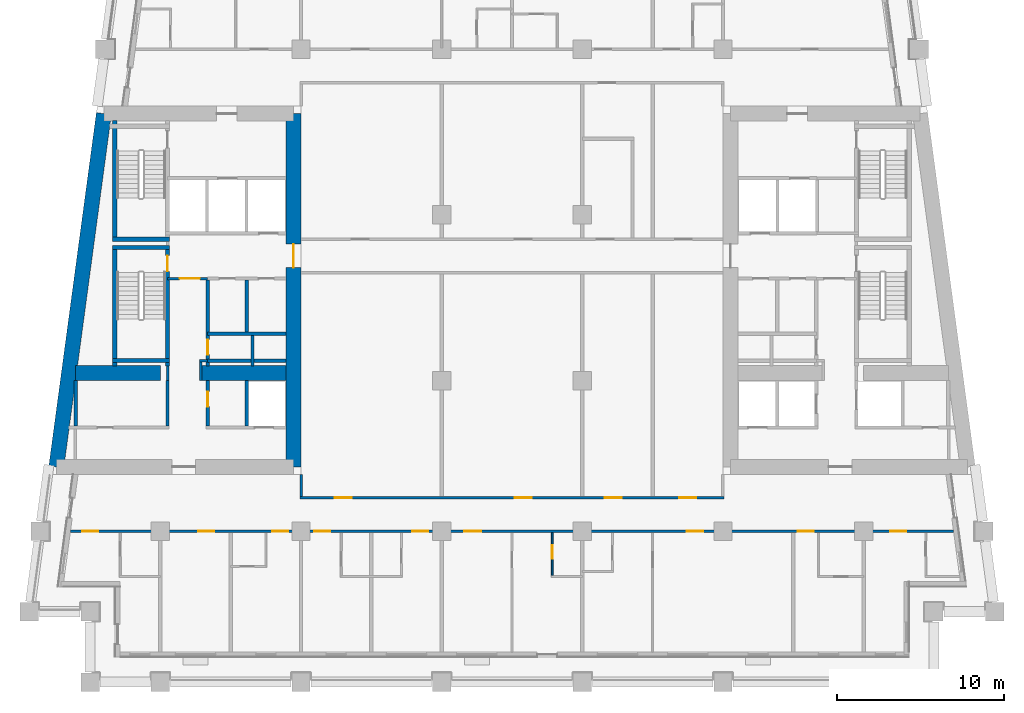
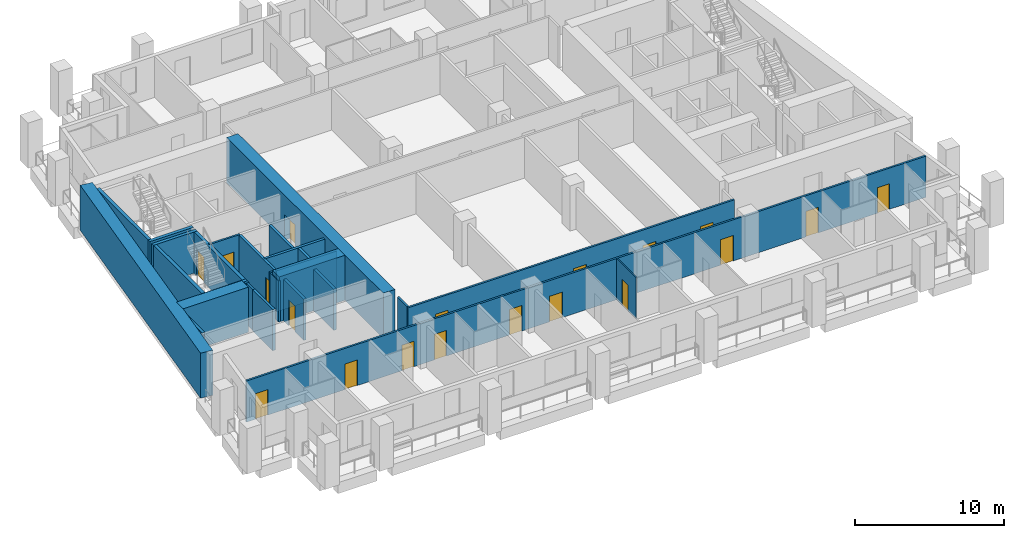
# One storey, part 3 of 12: 27 walls, 19 doors, 19 openings.
"""IFC4 building model written with IfcOpenShell, lengths in metres."""

from ifc_helpers import new_model, si_unit, direction, frame, frame_2d, origin, place, context, subcontext, project, spatial, rectangle, extrude, material, layer, layer_set, type_object, element, fill, save


model = new_model("IFC4")

# Units and contexts
model_context = context("Model", 3, precision=1e-05, world=origin(), true_north=direction((0.0, 1.0)))
body_context = subcontext(model_context, "Body", "Model", "MODEL_VIEW")
ifc_project = project(units=[si_unit("LENGTHUNIT", "METRE"), si_unit("AREAUNIT", "SQUARE_METRE"), si_unit("VOLUMEUNIT", "CUBIC_METRE"), si_unit("PLANEANGLEUNIT", "RADIAN"), si_unit("MASSUNIT", "GRAM", prefix="KILO")], contexts=[model_context])

# Site, building, storey
site_placement = place(None, origin())
site = spatial("IfcSite", under=ifc_project, at=site_placement, CompositionType="ELEMENT")
building_placement = place(site_placement, origin())
building = spatial("IfcBuilding", under=site, at=building_placement, Name="Candeia Pilgrim Tower and Theatre", CompositionType="ELEMENT")
storey_placement = place(building_placement, frame((0.0, 0.0, 147.800048828125)))
storey = spatial("IfcBuildingStorey", under=building, at=storey_placement, Name="L34", CompositionType="ELEMENT", Elevation=147.800048828125)

# Wall, opening, door
ifc_material_1 = material(Name="Concrete C60/75", Category="concrete")
ifc_layer_1 = layer(ifc_material_1, 0.89990234375)
ifc_layer_set_1 = layer_set([ifc_layer_1], Name="Core wall 900 C60/75")
wall_type_1 = type_object("IfcWallType", Name="Core wall 900 C60/75", PredefinedType="SHEAR", material=ifc_layer_set_1)
wall_1_placement = place(storey_placement, frame((100.35009765625, 131.949951171875, 0.0), z_axis=(0.0, 0.0, 1.0), x_axis=(0.0, -1.0, 0.0)))
wall_1 = element("IfcWall", 1, at=wall_1_placement, inside=storey, type_object=wall_type_1, Name="Core wall W2", PredefinedType="SHEAR", context=body_context, shape_type="SweptSolid", body=[
    extrude(rectangle(XDim=21.099853515625, YDim=0.89990234375, at=frame_2d((10.5498046875, 0.0))), origin(), (0.0, 0.0, 1.0), 3.699951171875),
])
opening_1_placement = place(wall_1_placement, frame((7.800048828125, 0.0, 0.0)))
opening_1 = element("IfcOpeningElement", 2, at=opening_1_placement, cuts=wall_1, Name="Opening L34-D057", PredefinedType="OPENING", context=body_context, shape_type="SweptSolid", body=[
    extrude(rectangle(XDim=1.39990234375, YDim=2.10009765625, at=frame_2d((0.699951171875, 1.050048828125))), frame((0.0, 0.4599609375, 0.0), z_axis=(0.0, -1.0, 0.0), x_axis=(1.0, 0.0, 0.0)), (0.0, 0.0, 1.0), 0.919921875),
])
ifc_material_2 = material(Name="Steel fire door set", Category="steel")
door_type_1 = type_object("IfcDoorType", Name="D-1400-FD60", OperationType="NOTDEFINED", PredefinedType="DOOR", material=ifc_material_2)
door_1_placement = place(opening_1_placement, origin())
door_1 = element("IfcDoor", 3, at=door_1_placement, inside=storey, type_object=door_type_1, Name="Door L34-D057", OperationType="SINGLE_SWING_LEFT", OverallHeight=2.10009765625, OverallWidth=1.39990234375, PredefinedType="DOOR", context=body_context, shape_type="SweptSolid", body=[
    extrude(rectangle(XDim=1.39990234375, YDim=2.10009765625, at=frame_2d((0.699951171875, 1.050048828125))), frame((0.0, 0.02490234375, 0.0), z_axis=(0.0, -1.0, 0.0), x_axis=(1.0, 0.0, 0.0)), (0.0, 0.0, 1.0), 0.050048828125),
])
fill(opening_1, door_1)

# Walls
wall_2_placement = place(storey_placement, frame((86.183837890625, 110.85009765625, 0.0), z_axis=(0.0, 0.0, 1.0), x_axis=(0.133410495943, 0.991060865725, 0.0)))
element("IfcWall", 4, at=wall_2_placement, inside=storey, type_object=wall_type_1, Name="Core wall W4", PredefinedType="SHEAR", context=body_context, shape_type="SweptSolid", body=[
    extrude(rectangle(XDim=21.290283203125, YDim=0.89990234375, at=frame_2d((10.64501953125, 0.0))), origin(), (0.0, 0.0, 1.0), 3.699951171875),
])
wall_3_placement = place(storey_placement, frame((87.322998046875, 116.449951171875, 0.0), z_axis=(0.0, 0.0, 1.0), x_axis=(1.0, 0.0, 0.0)))
element("IfcWall", 5, at=wall_3_placement, inside=storey, type_object=wall_type_1, Name="Core wall W5", PredefinedType="SHEAR", context=body_context, shape_type="SweptSolid", body=[
    extrude(rectangle(XDim=5.076904296875, YDim=0.89990234375, at=frame_2d((2.53857421875, 0.0))), origin(), (0.0, 0.0, 1.0), 3.699951171875),
])
wall_4_placement = place(storey_placement, frame((94.800048828125, 116.449951171875, 0.0), z_axis=(0.0, 0.0, 1.0), x_axis=(1.0, 0.0, 0.0)))
element("IfcWall", 6, at=wall_4_placement, inside=storey, type_object=wall_type_1, Name="Core wall W6", PredefinedType="SHEAR", context=body_context, shape_type="SweptSolid", body=[
    extrude(rectangle(XDim=5.099853515625, YDim=0.89990234375, at=frame_2d((2.5498046875, 0.0))), origin(), (0.0, 0.0, 1.0), 3.699951171875),
])

# Wall, opening, door
ifc_material_3 = material(Name="Gypsum board partition on steel studs", Category="steel")
ifc_layer_2 = layer(ifc_material_3, 0.10009765625)
ifc_layer_set_2 = layer_set([ifc_layer_2], Name="PW-100 room partition")
wall_type_2 = type_object("IfcWallType", Name="PW-100 room partition", PredefinedType="PARTITIONING", material=ifc_layer_set_2)
wall_5_placement = place(storey_placement, frame((115.800048828125, 104.35009765625, 0.0), z_axis=(0.0, 0.0, 1.0), x_axis=(0.0, 1.0, 0.0)))
wall_5 = element("IfcWall", 7, at=wall_5_placement, inside=storey, type_object=wall_type_2, Name="Room partition L34-084", PredefinedType="PARTITIONING", context=body_context, shape_type="SweptSolid", body=[
    extrude(rectangle(XDim=2.574951171875, YDim=0.10009765625, at=frame_2d((1.28759765625, 0.0))), origin(), (0.0, 0.0, 1.0), 3.3798828125),
])
opening_2_placement = place(wall_5_placement, frame((1.02001953125, 0.0, 0.0)))
opening_2 = element("IfcOpeningElement", 8, at=opening_2_placement, cuts=wall_5, Name="Opening L34-D027", PredefinedType="OPENING", context=body_context, shape_type="SweptSolid", body=[
    extrude(rectangle(XDim=0.800048828125, YDim=2.10009765625, at=frame_2d((0.39990234375, 1.050048828125))), frame((0.0, 0.06005859375, 0.0), z_axis=(0.0, -1.0, 0.0), x_axis=(1.0, 0.0, 0.0)), (0.0, 0.0, 1.0), 0.1201171875),
])
ifc_material_4 = material(Name="Timber door leaf", Category="wood")
door_type_2 = type_object("IfcDoorType", Name="D-800", OperationType="NOTDEFINED", PredefinedType="DOOR", material=ifc_material_4)
door_2_placement = place(opening_2_placement, origin())
door_2 = element("IfcDoor", 9, at=door_2_placement, inside=storey, type_object=door_type_2, Name="Door L34-D027", OperationType="SINGLE_SWING_LEFT", OverallHeight=2.10009765625, OverallWidth=0.800048828125, PredefinedType="DOOR", context=body_context, shape_type="SweptSolid", body=[
    extrude(rectangle(XDim=0.800048828125, YDim=2.10009765625, at=frame_2d((0.39990234375, 1.050048828125))), frame((0.0, 0.02490234375, 0.0), z_axis=(0.0, -1.0, 0.0), x_axis=(1.0, 0.0, 0.0)), (0.0, 0.0, 1.0), 0.050048828125),
])
fill(opening_2, door_2)

# Wall
ifc_layer_3 = layer(ifc_material_3, 0.14990234375)
ifc_layer_set_3 = layer_set([ifc_layer_3], Name="PW-150 lobby wall")
wall_type_3 = type_object("IfcWallType", Name="PW-150 lobby wall", PredefinedType="PARTITIONING", material=ifc_layer_set_3)
wall_6_placement = place(storey_placement, frame((94.72509765625, 117.199951171875, 0.0), z_axis=(0.0, 0.0, 1.0), x_axis=(1.0, 0.0, 0.0)))
element("IfcWall", 10, at=wall_6_placement, inside=storey, type_object=wall_type_3, Name="Lobby wall L34-016", PredefinedType="PARTITIONING", context=body_context, shape_type="SweptSolid", body=[
    extrude(rectangle(XDim=0.501953125, YDim=0.14990234375, at=frame_2d((0.2509765625, 0.0))), origin(), (0.0, 0.0, 1.0), 3.3798828125),
])

# Wall, opening, door
wall_7_placement = place(storey_placement, frame((92.826904296875, 122.10009765625, 0.0), z_axis=(0.0, 0.0, 1.0), x_axis=(1.0, 0.0, 0.0)))
wall_7 = element("IfcWall", 11, at=wall_7_placement, inside=storey, type_object=wall_type_3, Name="Lobby wall L34-024", PredefinedType="PARTITIONING", context=body_context, shape_type="SweptSolid", body=[
    extrude(rectangle(XDim=2.400146484375, YDim=0.14990234375, at=frame_2d((1.2001953125, 0.0))), origin(), (0.0, 0.0, 1.0), 3.3798828125),
])
opening_3_placement = place(wall_7_placement, frame((0.72509765625, 0.0, 0.0)))
opening_3 = element("IfcOpeningElement", 12, at=opening_3_placement, cuts=wall_7, Name="Opening L34-D001", PredefinedType="OPENING", context=body_context, shape_type="SweptSolid", body=[
    extrude(rectangle(XDim=1.199951171875, YDim=2.10009765625, at=frame_2d((0.60009765625, 1.050048828125))), frame((0.0, 0.0849609375, 0.0), z_axis=(0.0, -1.0, 0.0), x_axis=(1.0, 0.0, 0.0)), (0.0, 0.0, 1.0), 0.169921875),
])
door_type_3 = type_object("IfcDoorType", Name="D-1200-FD60", OperationType="NOTDEFINED", PredefinedType="DOOR", material=ifc_material_2)
door_3_placement = place(opening_3_placement, origin())
door_3 = element("IfcDoor", 13, at=door_3_placement, inside=storey, type_object=door_type_3, Name="Door L34-D001", OperationType="SINGLE_SWING_LEFT", OverallHeight=2.10009765625, OverallWidth=1.199951171875, PredefinedType="DOOR", context=body_context, shape_type="SweptSolid", body=[
    extrude(rectangle(XDim=1.199951171875, YDim=2.10009765625, at=frame_2d((0.60009765625, 1.050048828125))), frame((0.0, 0.02490234375, 0.0), z_axis=(0.0, -1.0, 0.0), x_axis=(1.0, 0.0, 0.0)), (0.0, 0.0, 1.0), 0.050048828125),
])
fill(opening_3, door_3)

# Walls
wall_8_placement = place(storey_placement, frame((92.826904296875, 116.0, 0.0), z_axis=(0.0, 0.0, 1.0), x_axis=(0.0, 1.0, 0.0)))
element("IfcWall", 14, at=wall_8_placement, inside=storey, type_object=wall_type_3, Name="Lobby wall L34-054", PredefinedType="PARTITIONING", context=body_context, shape_type="SweptSolid", body=[
    extrude(rectangle(XDim=0.8701171875, YDim=0.14990234375, at=frame_2d((0.43505859375, 0.0))), origin(), (0.0, 0.0, 1.0), 3.3798828125),
])
wall_9_placement = place(storey_placement, frame((94.800048828125, 116.0, 0.0), z_axis=(0.0, 0.0, 1.0), x_axis=(0.0, 1.0, 0.0)))
element("IfcWall", 15, at=wall_9_placement, inside=storey, type_object=wall_type_3, Name="Lobby wall L34-059", PredefinedType="PARTITIONING", context=body_context, shape_type="SweptSolid", body=[
    extrude(rectangle(XDim=1.125, YDim=0.14990234375, at=frame_2d((0.5625, 0.0))), origin(), (0.0, 0.0, 1.0), 3.3798828125),
])

# Wall, openings, doors
ifc_layer_4 = layer(ifc_material_3, 0.14990234375)
ifc_layer_set_4 = layer_set([ifc_layer_4], Name="PW-150 unit wall")
wall_type_4 = type_object("IfcWallType", Name="PW-150 unit wall", PredefinedType="PARTITIONING", material=ifc_layer_set_4)
wall_10_placement = place(storey_placement, frame((87.017578125, 107.0, 0.0), z_axis=(0.0, 0.0, 1.0), x_axis=(1.0, 0.0, 0.0)))
wall_10 = element("IfcWall", 16, at=wall_10_placement, inside=storey, type_object=wall_type_4, Name="Unit wall L34-008", PredefinedType="PARTITIONING", context=body_context, shape_type="SweptSolid", body=[
    extrude(rectangle(XDim=52.7646484375, YDim=0.14990234375, at=frame_2d((26.38232421875, 0.0))), origin(), (0.0, 0.0, 1.0), 3.3798828125),
])
opening_4_placement = place(wall_10_placement, frame((0.707275390625, 0.0, 0.0)))
opening_4 = element("IfcOpeningElement", 17, at=opening_4_placement, cuts=wall_10, Name="Opening L34-D016", PredefinedType="OPENING", context=body_context, shape_type="SweptSolid", body=[
    extrude(rectangle(XDim=0.949951171875, YDim=2.10009765625, at=frame_2d((0.47509765625, 1.050048828125))), frame((0.0, 0.0849609375, 0.0), z_axis=(0.0, -1.0, 0.0), x_axis=(1.0, 0.0, 0.0)), (0.0, 0.0, 1.0), 0.169921875),
])
opening_5_placement = place(wall_10_placement, frame((7.645263671875, 0.0, 0.0)))
opening_5 = element("IfcOpeningElement", 18, at=opening_5_placement, cuts=wall_10, Name="Opening L34-D018", PredefinedType="OPENING", context=body_context, shape_type="SweptSolid", body=[
    extrude(rectangle(XDim=0.949951171875, YDim=2.10009765625, at=frame_2d((0.47509765625, 1.050048828125))), frame((0.0, 0.0849609375, 0.0), z_axis=(0.0, -1.0, 0.0), x_axis=(1.0, 0.0, 0.0)), (0.0, 0.0, 1.0), 0.169921875),
])
opening_6_placement = place(wall_10_placement, frame((12.0673828125, 0.0, 0.0)))
opening_6 = element("IfcOpeningElement", 19, at=opening_6_placement, cuts=wall_10, Name="Opening L34-D019", PredefinedType="OPENING", context=body_context, shape_type="SweptSolid", body=[
    extrude(rectangle(XDim=0.949951171875, YDim=2.10009765625, at=frame_2d((0.47509765625, 1.050048828125))), frame((0.0, 0.0849609375, 0.0), z_axis=(0.0, -1.0, 0.0), x_axis=(1.0, 0.0, 0.0)), (0.0, 0.0, 1.0), 0.169921875),
])
opening_7_placement = place(wall_10_placement, frame((14.582275390625, 0.0, 0.0)))
opening_7 = element("IfcOpeningElement", 20, at=opening_7_placement, cuts=wall_10, Name="Opening L34-D021", PredefinedType="OPENING", context=body_context, shape_type="SweptSolid", body=[
    extrude(rectangle(XDim=0.949951171875, YDim=2.10009765625, at=frame_2d((0.47509765625, 1.050048828125))), frame((0.0, 0.0849609375, 0.0), z_axis=(0.0, -1.0, 0.0), x_axis=(1.0, 0.0, 0.0)), (0.0, 0.0, 1.0), 0.169921875),
])
opening_8_placement = place(wall_10_placement, frame((20.432373046875, 0.0, 0.0)))
opening_8 = element("IfcOpeningElement", 21, at=opening_8_placement, cuts=wall_10, Name="Opening L34-D023", PredefinedType="OPENING", context=body_context, shape_type="SweptSolid", body=[
    extrude(rectangle(XDim=0.949951171875, YDim=2.10009765625, at=frame_2d((0.47509765625, 1.050048828125))), frame((0.0, 0.0849609375, 0.0), z_axis=(0.0, -1.0, 0.0), x_axis=(1.0, 0.0, 0.0)), (0.0, 0.0, 1.0), 0.169921875),
])
opening_9_placement = place(wall_10_placement, frame((23.5322265625, 0.0, 0.0)))
opening_9 = element("IfcOpeningElement", 22, at=opening_9_placement, cuts=wall_10, Name="Opening L34-D025", PredefinedType="OPENING", context=body_context, shape_type="SweptSolid", body=[
    extrude(rectangle(XDim=1.0, YDim=2.10009765625, at=frame_2d((0.5, 1.050048828125))), frame((0.0, 0.0849609375, 0.0), z_axis=(0.0, -1.0, 0.0), x_axis=(1.0, 0.0, 0.0)), (0.0, 0.0, 1.0), 0.169921875),
])
opening_10_placement = place(wall_10_placement, frame((36.807373046875, 0.0, 0.0)))
opening_10 = element("IfcOpeningElement", 23, at=opening_10_placement, cuts=wall_10, Name="Opening L34-D028", PredefinedType="OPENING", context=body_context, shape_type="SweptSolid", body=[
    extrude(rectangle(XDim=1.0, YDim=2.10009765625, at=frame_2d((0.5, 1.050048828125))), frame((0.0, 0.0849609375, 0.0), z_axis=(0.0, -1.0, 0.0), x_axis=(1.0, 0.0, 0.0)), (0.0, 0.0, 1.0), 0.169921875),
])
opening_11_placement = place(wall_10_placement, frame((43.457275390625, 0.0, 0.0)))
opening_11 = element("IfcOpeningElement", 24, at=opening_11_placement, cuts=wall_10, Name="Opening L34-D031", PredefinedType="OPENING", context=body_context, shape_type="SweptSolid", body=[
    extrude(rectangle(XDim=0.949951171875, YDim=2.10009765625, at=frame_2d((0.47509765625, 1.050048828125))), frame((0.0, 0.0849609375, 0.0), z_axis=(0.0, -1.0, 0.0), x_axis=(1.0, 0.0, 0.0)), (0.0, 0.0, 1.0), 0.169921875),
])
opening_12_placement = place(wall_10_placement, frame((48.974365234375, 0.0, 0.0)))
opening_12 = element("IfcOpeningElement", 25, at=opening_12_placement, cuts=wall_10, Name="Opening L34-D033", PredefinedType="OPENING", context=body_context, shape_type="SweptSolid", body=[
    extrude(rectangle(XDim=0.949951171875, YDim=2.10009765625, at=frame_2d((0.47509765625, 1.050048828125))), frame((0.0, 0.0849609375, 0.0), z_axis=(0.0, -1.0, 0.0), x_axis=(1.0, 0.0, 0.0)), (0.0, 0.0, 1.0), 0.169921875),
])
door_type_4 = type_object("IfcDoorType", Name="D-1000-FD30S", OperationType="NOTDEFINED", PredefinedType="DOOR", material=ifc_material_2)
door_4_placement = place(opening_9_placement, origin())
door_4 = element("IfcDoor", 26, at=door_4_placement, inside=storey, type_object=door_type_4, Name="Door L34-D025", OperationType="SINGLE_SWING_LEFT", OverallHeight=2.10009765625, OverallWidth=1.0, PredefinedType="DOOR", context=body_context, shape_type="SweptSolid", body=[
    extrude(rectangle(XDim=1.0, YDim=2.10009765625, at=frame_2d((0.5, 1.050048828125))), frame((0.0, 0.02490234375, 0.0), z_axis=(0.0, -1.0, 0.0), x_axis=(1.0, 0.0, 0.0)), (0.0, 0.0, 1.0), 0.050048828125),
])
fill(opening_9, door_4)
door_5_placement = place(opening_10_placement, origin())
door_5 = element("IfcDoor", 27, at=door_5_placement, inside=storey, type_object=door_type_4, Name="Door L34-D028", OperationType="SINGLE_SWING_RIGHT", OverallHeight=2.10009765625, OverallWidth=1.0, PredefinedType="DOOR", context=body_context, shape_type="SweptSolid", body=[
    extrude(rectangle(XDim=1.0, YDim=2.10009765625, at=frame_2d((0.5, 1.050048828125))), frame((0.0, 0.02490234375, 0.0), z_axis=(0.0, -1.0, 0.0), x_axis=(1.0, 0.0, 0.0)), (0.0, 0.0, 1.0), 0.050048828125),
])
fill(opening_10, door_5)
door_type_5 = type_object("IfcDoorType", Name="D-950-FD30S", OperationType="NOTDEFINED", PredefinedType="DOOR", material=ifc_material_2)
door_6_placement = place(opening_4_placement, origin())
door_6 = element("IfcDoor", 28, at=door_6_placement, inside=storey, type_object=door_type_5, Name="Door L34-D016", OperationType="SINGLE_SWING_RIGHT", OverallHeight=2.10009765625, OverallWidth=0.949951171875, PredefinedType="DOOR", context=body_context, shape_type="SweptSolid", body=[
    extrude(rectangle(XDim=0.949951171875, YDim=2.10009765625, at=frame_2d((0.47509765625, 1.050048828125))), frame((0.0, 0.02490234375, 0.0), z_axis=(0.0, -1.0, 0.0), x_axis=(1.0, 0.0, 0.0)), (0.0, 0.0, 1.0), 0.050048828125),
])
fill(opening_4, door_6)
door_7_placement = place(opening_5_placement, origin())
door_7 = element("IfcDoor", 29, at=door_7_placement, inside=storey, type_object=door_type_5, Name="Door L34-D018", OperationType="SINGLE_SWING_RIGHT", OverallHeight=2.10009765625, OverallWidth=0.949951171875, PredefinedType="DOOR", context=body_context, shape_type="SweptSolid", body=[
    extrude(rectangle(XDim=0.949951171875, YDim=2.10009765625, at=frame_2d((0.47509765625, 1.050048828125))), frame((0.0, 0.02490234375, 0.0), z_axis=(0.0, -1.0, 0.0), x_axis=(1.0, 0.0, 0.0)), (0.0, 0.0, 1.0), 0.050048828125),
])
fill(opening_5, door_7)
door_8_placement = place(opening_6_placement, origin())
door_8 = element("IfcDoor", 30, at=door_8_placement, inside=storey, type_object=door_type_5, Name="Door L34-D019", OperationType="SINGLE_SWING_LEFT", OverallHeight=2.10009765625, OverallWidth=0.949951171875, PredefinedType="DOOR", context=body_context, shape_type="SweptSolid", body=[
    extrude(rectangle(XDim=0.949951171875, YDim=2.10009765625, at=frame_2d((0.47509765625, 1.050048828125))), frame((0.0, 0.02490234375, 0.0), z_axis=(0.0, -1.0, 0.0), x_axis=(1.0, 0.0, 0.0)), (0.0, 0.0, 1.0), 0.050048828125),
])
fill(opening_6, door_8)
door_9_placement = place(opening_7_placement, origin())
door_9 = element("IfcDoor", 31, at=door_9_placement, inside=storey, type_object=door_type_5, Name="Door L34-D021", OperationType="SINGLE_SWING_LEFT", OverallHeight=2.10009765625, OverallWidth=0.949951171875, PredefinedType="DOOR", context=body_context, shape_type="SweptSolid", body=[
    extrude(rectangle(XDim=0.949951171875, YDim=2.10009765625, at=frame_2d((0.47509765625, 1.050048828125))), frame((0.0, 0.02490234375, 0.0), z_axis=(0.0, -1.0, 0.0), x_axis=(1.0, 0.0, 0.0)), (0.0, 0.0, 1.0), 0.050048828125),
])
fill(opening_7, door_9)
door_10_placement = place(opening_8_placement, origin())
door_10 = element("IfcDoor", 32, at=door_10_placement, inside=storey, type_object=door_type_5, Name="Door L34-D023", OperationType="SINGLE_SWING_LEFT", OverallHeight=2.10009765625, OverallWidth=0.949951171875, PredefinedType="DOOR", context=body_context, shape_type="SweptSolid", body=[
    extrude(rectangle(XDim=0.949951171875, YDim=2.10009765625, at=frame_2d((0.47509765625, 1.050048828125))), frame((0.0, 0.02490234375, 0.0), z_axis=(0.0, -1.0, 0.0), x_axis=(1.0, 0.0, 0.0)), (0.0, 0.0, 1.0), 0.050048828125),
])
fill(opening_8, door_10)
door_11_placement = place(opening_11_placement, origin())
door_11 = element("IfcDoor", 33, at=door_11_placement, inside=storey, type_object=door_type_5, Name="Door L34-D031", OperationType="SINGLE_SWING_LEFT", OverallHeight=2.10009765625, OverallWidth=0.949951171875, PredefinedType="DOOR", context=body_context, shape_type="SweptSolid", body=[
    extrude(rectangle(XDim=0.949951171875, YDim=2.10009765625, at=frame_2d((0.47509765625, 1.050048828125))), frame((0.0, 0.02490234375, 0.0), z_axis=(0.0, -1.0, 0.0), x_axis=(1.0, 0.0, 0.0)), (0.0, 0.0, 1.0), 0.050048828125),
])
fill(opening_11, door_11)
door_12_placement = place(opening_12_placement, origin())
door_12 = element("IfcDoor", 34, at=door_12_placement, inside=storey, type_object=door_type_5, Name="Door L34-D033", OperationType="SINGLE_SWING_LEFT", OverallHeight=2.10009765625, OverallWidth=0.949951171875, PredefinedType="DOOR", context=body_context, shape_type="SweptSolid", body=[
    extrude(rectangle(XDim=0.949951171875, YDim=2.10009765625, at=frame_2d((0.47509765625, 1.050048828125))), frame((0.0, 0.02490234375, 0.0), z_axis=(0.0, -1.0, 0.0), x_axis=(1.0, 0.0, 0.0)), (0.0, 0.0, 1.0), 0.050048828125),
])
fill(opening_12, door_12)

wall_11_placement = place(storey_placement, frame((100.72509765625, 109.0, 0.0), z_axis=(0.0, 0.0, 1.0), x_axis=(1.0, 0.0, 0.0)))
wall_11 = element("IfcWall", 35, at=wall_11_placement, inside=storey, type_object=wall_type_4, Name="Unit wall L34-009", PredefinedType="PARTITIONING", context=body_context, shape_type="SweptSolid", body=[
    extrude(rectangle(XDim=25.349853515625, YDim=0.14990234375, at=frame_2d((12.6748046875, 0.0))), origin(), (0.0, 0.0, 1.0), 3.3798828125),
])
opening_13_placement = place(wall_11_placement, frame((2.10009765625, 0.0, 0.0)))
opening_13 = element("IfcOpeningElement", 36, at=opening_13_placement, cuts=wall_11, Name="Opening L34-D047", PredefinedType="OPENING", context=body_context, shape_type="SweptSolid", body=[
    extrude(rectangle(XDim=1.0, YDim=2.10009765625, at=frame_2d((0.5, 1.050048828125))), frame((0.0, 0.0849609375, 0.0), z_axis=(0.0, -1.0, 0.0), x_axis=(1.0, 0.0, 0.0)), (0.0, 0.0, 1.0), 0.169921875),
])
opening_14_placement = place(wall_11_placement, frame((12.844970703125, 0.0, 0.0)))
opening_14 = element("IfcOpeningElement", 37, at=opening_14_placement, cuts=wall_11, Name="Opening L34-D048", PredefinedType="OPENING", context=body_context, shape_type="SweptSolid", body=[
    extrude(rectangle(XDim=1.0, YDim=2.10009765625, at=frame_2d((0.5, 1.050048828125))), frame((0.0, 0.0849609375, 0.0), z_axis=(0.0, -1.0, 0.0), x_axis=(1.0, 0.0, 0.0)), (0.0, 0.0, 1.0), 0.169921875),
])
opening_15_placement = place(wall_11_placement, frame((18.22509765625, 0.0, 0.0)))
opening_15 = element("IfcOpeningElement", 38, at=opening_15_placement, cuts=wall_11, Name="Opening L34-D049", PredefinedType="OPENING", context=body_context, shape_type="SweptSolid", body=[
    extrude(rectangle(XDim=1.0, YDim=2.10009765625, at=frame_2d((0.5, 1.050048828125))), frame((0.0, 0.0849609375, 0.0), z_axis=(0.0, -1.0, 0.0), x_axis=(1.0, 0.0, 0.0)), (0.0, 0.0, 1.0), 0.169921875),
])
opening_16_placement = place(wall_11_placement, frame((22.675048828125, 0.0, 0.0)))
opening_16 = element("IfcOpeningElement", 39, at=opening_16_placement, cuts=wall_11, Name="Opening L34-D050", PredefinedType="OPENING", context=body_context, shape_type="SweptSolid", body=[
    extrude(rectangle(XDim=1.0, YDim=2.10009765625, at=frame_2d((0.5, 1.050048828125))), frame((0.0, 0.0849609375, 0.0), z_axis=(0.0, -1.0, 0.0), x_axis=(1.0, 0.0, 0.0)), (0.0, 0.0, 1.0), 0.169921875),
])
door_13_placement = place(opening_13_placement, origin())
door_13 = element("IfcDoor", 40, at=door_13_placement, inside=storey, type_object=door_type_4, Name="Door L34-D047", OperationType="SINGLE_SWING_LEFT", OverallHeight=2.10009765625, OverallWidth=1.0, PredefinedType="DOOR", context=body_context, shape_type="SweptSolid", body=[
    extrude(rectangle(XDim=1.0, YDim=2.10009765625, at=frame_2d((0.5, 1.050048828125))), frame((0.0, 0.02490234375, 0.0), z_axis=(0.0, -1.0, 0.0), x_axis=(1.0, 0.0, 0.0)), (0.0, 0.0, 1.0), 0.050048828125),
])
fill(opening_13, door_13)
door_14_placement = place(opening_14_placement, origin())
door_14 = element("IfcDoor", 41, at=door_14_placement, inside=storey, type_object=door_type_4, Name="Door L34-D048", OperationType="SINGLE_SWING_RIGHT", OverallHeight=2.10009765625, OverallWidth=1.0, PredefinedType="DOOR", context=body_context, shape_type="SweptSolid", body=[
    extrude(rectangle(XDim=1.0, YDim=2.10009765625, at=frame_2d((0.5, 1.050048828125))), frame((0.0, 0.02490234375, 0.0), z_axis=(0.0, -1.0, 0.0), x_axis=(1.0, 0.0, 0.0)), (0.0, 0.0, 1.0), 0.050048828125),
])
fill(opening_14, door_14)
door_15_placement = place(opening_15_placement, origin())
door_15 = element("IfcDoor", 42, at=door_15_placement, inside=storey, type_object=door_type_4, Name="Door L34-D049", OperationType="SINGLE_SWING_LEFT", OverallHeight=2.10009765625, OverallWidth=1.0, PredefinedType="DOOR", context=body_context, shape_type="SweptSolid", body=[
    extrude(rectangle(XDim=1.0, YDim=2.10009765625, at=frame_2d((0.5, 1.050048828125))), frame((0.0, 0.02490234375, 0.0), z_axis=(0.0, -1.0, 0.0), x_axis=(1.0, 0.0, 0.0)), (0.0, 0.0, 1.0), 0.050048828125),
])
fill(opening_15, door_15)
door_16_placement = place(opening_16_placement, origin())
door_16 = element("IfcDoor", 43, at=door_16_placement, inside=storey, type_object=door_type_4, Name="Door L34-D050", OperationType="SINGLE_SWING_RIGHT", OverallHeight=2.10009765625, OverallWidth=1.0, PredefinedType="DOOR", context=body_context, shape_type="SweptSolid", body=[
    extrude(rectangle(XDim=1.0, YDim=2.10009765625, at=frame_2d((0.5, 1.050048828125))), frame((0.0, 0.02490234375, 0.0), z_axis=(0.0, -1.0, 0.0), x_axis=(1.0, 0.0, 0.0)), (0.0, 0.0, 1.0), 0.050048828125),
])
fill(opening_16, door_16)

# Walls
wall_12_placement = place(storey_placement, frame((100.800048828125, 109.074951171875, 0.0), z_axis=(0.0, 0.0, 1.0), x_axis=(0.0, 1.0, 0.0)))
element("IfcWall", 44, at=wall_12_placement, inside=storey, type_object=wall_type_4, Name="Unit wall L34-072", PredefinedType="PARTITIONING", context=body_context, shape_type="SweptSolid", body=[
    extrude(rectangle(XDim=1.324951171875, YDim=0.14990234375, at=frame_2d((0.66259765625, 0.0))), origin(), (0.0, 0.0, 1.0), 3.3798828125),
])
ifc_material_5 = material(Name="Concrete C40/50", Category="concrete")
ifc_layer_5 = layer(ifc_material_5, 0.199951171875)
ifc_layer_set_5 = layer_set([ifc_layer_5], Name="SW-200 shaft wall")
wall_type_5 = type_object("IfcWallType", Name="SW-200 shaft wall", PredefinedType="PARTITIONING", material=ifc_layer_set_5)
for number, where, z_axis, x_axis, name in (
    (45, (95.22705078125, 117.199951171875, 0.0), (0.0, 0.0, 1.0), (1.0, 0.0, 0.0), "Shaft wall L34-014"),
    (46, (95.22705078125, 118.800048828125, 0.0), (0.0, 0.0, 1.0), (1.0, 0.0, 0.0), "Shaft wall L34-020"),
):
    element("IfcWall", number, at=place(storey_placement, frame(where, z_axis=z_axis, x_axis=x_axis)), inside=storey, type_object=wall_type_5, Name=name, PredefinedType="PARTITIONING", context=body_context, shape_type="SweptSolid", body=[
        extrude(rectangle(XDim=4.6728515625, YDim=0.199951171875, at=frame_2d((2.33642578125, 0.0))), origin(), (0.0, 0.0, 1.0), 3.3798828125),
    ])
for number, where, z_axis, x_axis, name in (
    (47, (87.350341796875, 113.300048828125, 0.0), (0.0, 0.0, 1.0), (0.0, 1.0, 0.0), "Shaft wall L34-047"),
    (48, (92.826904296875, 113.300048828125, 0.0), (0.0, 0.0, 1.0), (0.0, 1.0, 0.0), "Shaft wall L34-053"),
):
    element("IfcWall", number, at=place(storey_placement, frame(where, z_axis=z_axis, x_axis=x_axis)), inside=storey, type_object=wall_type_5, Name=name, PredefinedType="PARTITIONING", context=body_context, shape_type="SweptSolid", body=[
        extrude(rectangle(XDim=2.699951171875, YDim=0.199951171875, at=frame_2d((1.35009765625, 0.0))), origin(), (0.0, 0.0, 1.0), 3.3798828125),
    ])

# Wall, opening, door
wall_13_placement = place(storey_placement, frame((95.22705078125, 113.300048828125, 0.0), z_axis=(0.0, 0.0, 1.0), x_axis=(0.0, 1.0, 0.0)))
wall_13 = element("IfcWall", 49, at=wall_13_placement, inside=storey, type_object=wall_type_5, Name="Shaft wall L34-061", PredefinedType="PARTITIONING", context=body_context, shape_type="SweptSolid", body=[
    extrude(rectangle(XDim=2.699951171875, YDim=0.199951171875, at=frame_2d((1.35009765625, 0.0))), origin(), (0.0, 0.0, 1.0), 3.3798828125),
])
opening_17_placement = place(wall_13_placement, frame((1.14990234375, 0.0, 0.0)))
opening_17 = element("IfcOpeningElement", 50, at=opening_17_placement, cuts=wall_13, Name="Opening L34-D008", PredefinedType="OPENING", context=body_context, shape_type="SweptSolid", body=[
    extrude(rectangle(XDim=0.89990234375, YDim=2.10009765625, at=frame_2d((0.449951171875, 1.050048828125))), frame((0.0, 0.10986328125, 0.0), z_axis=(0.0, -1.0, 0.0), x_axis=(1.0, 0.0, 0.0)), (0.0, 0.0, 1.0), 0.219970703125),
])
door_type_6 = type_object("IfcDoorType", Name="D-900-FD60", OperationType="NOTDEFINED", PredefinedType="DOOR", material=ifc_material_2)
door_17_placement = place(opening_17_placement, origin())
door_17 = element("IfcDoor", 51, at=door_17_placement, inside=storey, type_object=door_type_6, Name="Door L34-D008", OperationType="SINGLE_SWING_LEFT", OverallHeight=2.10009765625, OverallWidth=0.89990234375, PredefinedType="DOOR", context=body_context, shape_type="SweptSolid", body=[
    extrude(rectangle(XDim=0.89990234375, YDim=2.10009765625, at=frame_2d((0.449951171875, 1.050048828125))), frame((0.0, 0.02490234375, 0.0), z_axis=(0.0, -1.0, 0.0), x_axis=(1.0, 0.0, 0.0)), (0.0, 0.0, 1.0), 0.050048828125),
])
fill(opening_17, door_17)

wall_14_placement = place(storey_placement, frame((95.22705078125, 116.8701171875, 0.0), z_axis=(0.0, 0.0, 1.0), x_axis=(0.0, 1.0, 0.0)))
wall_14 = element("IfcWall", 52, at=wall_14_placement, inside=storey, type_object=wall_type_5, Name="Shaft wall L34-062", PredefinedType="PARTITIONING", context=body_context, shape_type="SweptSolid", body=[
    extrude(rectangle(XDim=5.1298828125, YDim=0.199951171875, at=frame_2d((2.56494140625, 0.0))), origin(), (0.0, 0.0, 1.0), 3.3798828125),
])
opening_18_placement = place(wall_14_placement, frame((0.679931640625, 0.0, 0.0)))
opening_18 = element("IfcOpeningElement", 53, at=opening_18_placement, cuts=wall_14, Name="Opening L34-D006", PredefinedType="OPENING", context=body_context, shape_type="SweptSolid", body=[
    extrude(rectangle(XDim=0.89990234375, YDim=2.10009765625, at=frame_2d((0.449951171875, 1.050048828125))), frame((0.0, 0.10986328125, 0.0), z_axis=(0.0, -1.0, 0.0), x_axis=(1.0, 0.0, 0.0)), (0.0, 0.0, 1.0), 0.219970703125),
])
door_18_placement = place(opening_18_placement, origin())
door_18 = element("IfcDoor", 54, at=door_18_placement, inside=storey, type_object=door_type_6, Name="Door L34-D006", OperationType="SINGLE_SWING_RIGHT", OverallHeight=2.10009765625, OverallWidth=0.89990234375, PredefinedType="DOOR", context=body_context, shape_type="SweptSolid", body=[
    extrude(rectangle(XDim=0.89990234375, YDim=2.10009765625, at=frame_2d((0.449951171875, 1.050048828125))), frame((0.0, 0.02490234375, 0.0), z_axis=(0.0, -1.0, 0.0), x_axis=(1.0, 0.0, 0.0)), (0.0, 0.0, 1.0), 0.050048828125),
])
fill(opening_18, door_18)

# Walls
wall_15_placement = place(storey_placement, frame((97.5634765625, 113.300048828125, 0.0), z_axis=(0.0, 0.0, 1.0), x_axis=(0.0, 1.0, 0.0)))
element("IfcWall", 55, at=wall_15_placement, inside=storey, type_object=wall_type_5, Name="Shaft wall L34-066", PredefinedType="PARTITIONING", context=body_context, shape_type="SweptSolid", body=[
    extrude(rectangle(XDim=2.699951171875, YDim=0.199951171875, at=frame_2d((1.35009765625, 0.0))), origin(), (0.0, 0.0, 1.0), 3.3798828125),
])
wall_16_placement = place(storey_placement, frame((97.5634765625, 118.89990234375, 0.0), z_axis=(0.0, 0.0, 1.0), x_axis=(0.0, 1.0, 0.0)))
element("IfcWall", 56, at=wall_16_placement, inside=storey, type_object=wall_type_5, Name="Shaft wall L34-067", PredefinedType="PARTITIONING", context=body_context, shape_type="SweptSolid", body=[
    extrude(rectangle(XDim=3.10009765625, YDim=0.199951171875, at=frame_2d((1.550048828125, 0.0))), origin(), (0.0, 0.0, 1.0), 3.3798828125),
])
wall_17_placement = place(storey_placement, frame((97.89990234375, 116.8701171875, 0.0), z_axis=(0.0, 0.0, 1.0), x_axis=(0.0, 1.0, 0.0)))
element("IfcWall", 57, at=wall_17_placement, inside=storey, type_object=wall_type_5, Name="Shaft wall L34-068", PredefinedType="PARTITIONING", context=body_context, shape_type="SweptSolid", body=[
    extrude(rectangle(XDim=1.829833984375, YDim=0.199951171875, at=frame_2d((0.9150390625, 0.0))), origin(), (0.0, 0.0, 1.0), 3.3798828125),
])
ifc_layer_6 = layer(ifc_material_5, 0.25)
ifc_layer_set_6 = layer_set([ifc_layer_6], Name="SW-250 stair wall")
wall_type_6 = type_object("IfcWallType", Name="SW-250 stair wall", PredefinedType="PARTITIONING", material=ifc_layer_set_6)
for number, where, z_axis, x_axis, name in (
    (58, (89.552001953125, 117.199951171875, 0.0), (0.0, 0.0, 1.0), (1.0, 0.0, 0.0), "Stair wall L34-018"),
    (59, (89.552001953125, 123.949951171875, 0.0), (0.0, 0.0, 1.0), (1.0, 0.0, 0.0), "Stair wall L34-027"),
    (60, (89.552001953125, 124.449951171875, 0.0), (0.0, 0.0, 1.0), (1.0, 0.0, 0.0), "Stair wall L34-029"),
):
    element("IfcWall", number, at=place(storey_placement, frame(where, z_axis=z_axis, x_axis=x_axis)), inside=storey, type_object=wall_type_6, Name=name, PredefinedType="PARTITIONING", context=body_context, shape_type="SweptSolid", body=[
        extrude(rectangle(XDim=3.39990234375, YDim=0.25, at=frame_2d((1.699951171875, 0.0))), origin(), (0.0, 0.0, 1.0), 3.3798828125),
    ])
wall_18_placement = place(storey_placement, frame((89.677001953125, 116.8701171875, 0.0), z_axis=(0.0, 0.0, 1.0), x_axis=(0.0, 1.0, 0.0)))
element("IfcWall", 61, at=wall_18_placement, inside=storey, type_object=wall_type_6, Name="Stair wall L34-049", PredefinedType="PARTITIONING", context=body_context, shape_type="SweptSolid", body=[
    extrude(rectangle(XDim=6.954833984375, YDim=0.25, at=frame_2d((3.4775390625, 0.0))), origin(), (0.0, 0.0, 1.0), 3.3798828125),
])
wall_19_placement = place(storey_placement, frame((89.677001953125, 124.574951171875, 0.0), z_axis=(0.0, 0.0, 1.0), x_axis=(0.0, 1.0, 0.0)))
element("IfcWall", 62, at=wall_19_placement, inside=storey, type_object=wall_type_6, Name="Stair wall L34-050", PredefinedType="PARTITIONING", context=body_context, shape_type="SweptSolid", body=[
    extrude(rectangle(XDim=6.955078125, YDim=0.25, at=frame_2d((3.4775390625, 0.0))), origin(), (0.0, 0.0, 1.0), 3.3798828125),
])

# Wall, opening, door
wall_20_placement = place(storey_placement, frame((92.826904296875, 116.8701171875, 0.0), z_axis=(0.0, 0.0, 1.0), x_axis=(0.0, 1.0, 0.0)))
wall_20 = element("IfcWall", 63, at=wall_20_placement, inside=storey, type_object=wall_type_6, Name="Stair wall L34-056", PredefinedType="PARTITIONING", context=body_context, shape_type="SweptSolid", body=[
    extrude(rectangle(XDim=6.954833984375, YDim=0.25, at=frame_2d((3.4775390625, 0.0))), origin(), (0.0, 0.0, 1.0), 3.3798828125),
])
opening_19_placement = place(wall_20_placement, frame((5.655029296875, 0.0, 0.0)))
opening_19 = element("IfcOpeningElement", 64, at=opening_19_placement, cuts=wall_20, Name="Opening L34-D004", PredefinedType="OPENING", context=body_context, shape_type="SweptSolid", body=[
    extrude(rectangle(XDim=0.949951171875, YDim=2.10009765625, at=frame_2d((0.47509765625, 1.050048828125))), frame((0.0, 0.135009765625, 0.0), z_axis=(0.0, -1.0, 0.0), x_axis=(1.0, 0.0, 0.0)), (0.0, 0.0, 1.0), 0.27001953125),
])
door_type_7 = type_object("IfcDoorType", Name="D-950-FD60", OperationType="NOTDEFINED", PredefinedType="DOOR", material=ifc_material_2)
door_19_placement = place(opening_19_placement, origin())
door_19 = element("IfcDoor", 65, at=door_19_placement, inside=storey, type_object=door_type_7, Name="Door L34-D004", OperationType="SINGLE_SWING_RIGHT", OverallHeight=2.10009765625, OverallWidth=0.949951171875, PredefinedType="DOOR", context=body_context, shape_type="SweptSolid", body=[
    extrude(rectangle(XDim=0.949951171875, YDim=2.10009765625, at=frame_2d((0.47509765625, 1.050048828125))), frame((0.0, 0.02490234375, 0.0), z_axis=(0.0, -1.0, 0.0), x_axis=(1.0, 0.0, 0.0)), (0.0, 0.0, 1.0), 0.050048828125),
])
fill(opening_19, door_19)

save(model, "model.ifc")
